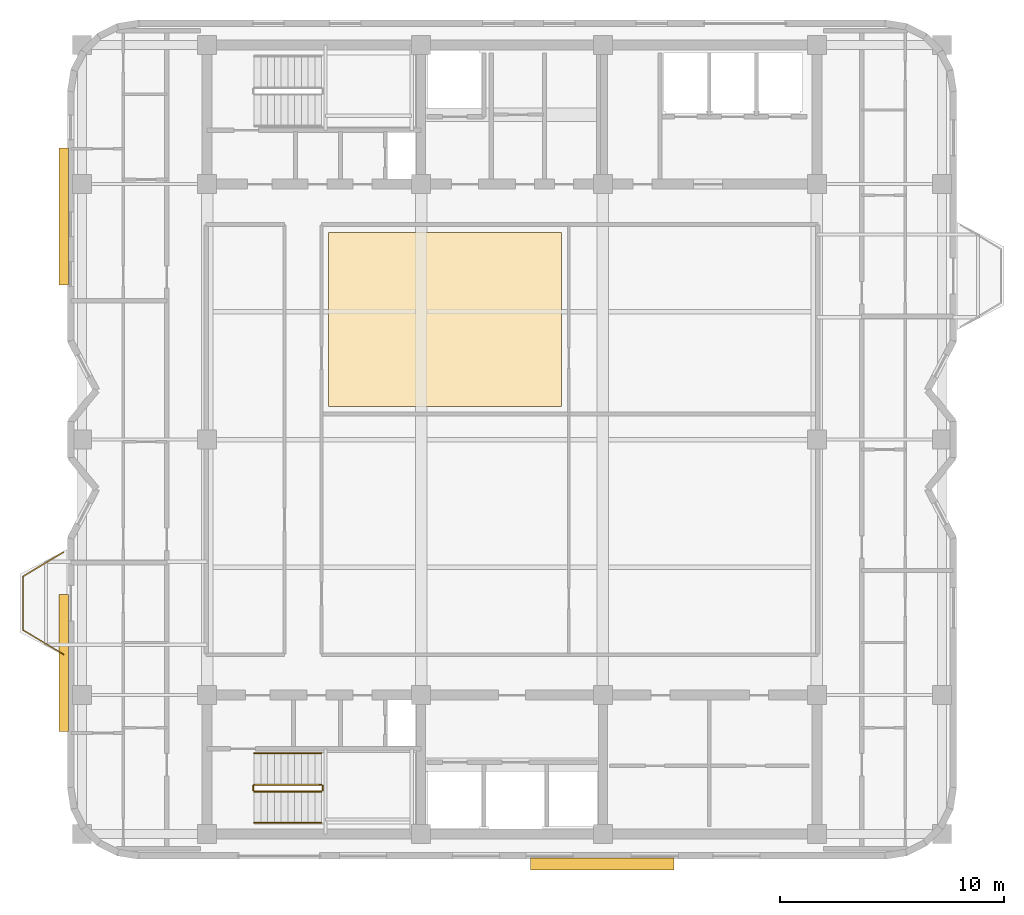
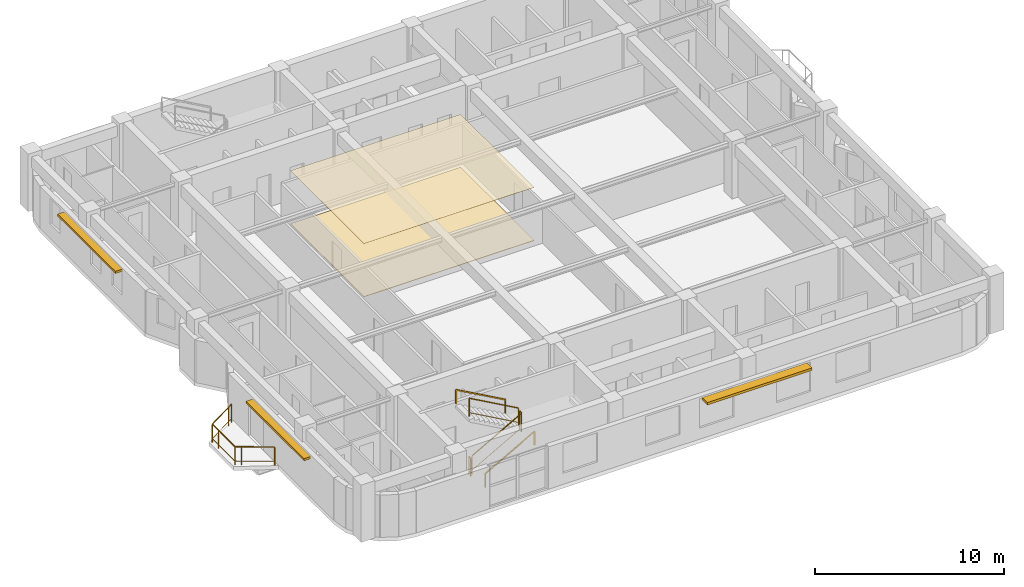
# One storey, part 11 of 12: 7 railings, 3 shading devices, 2 coverings.
"""IFC4 building model written with IfcOpenShell, lengths in metres."""

from ifc_helpers import new_model, si_unit, direction, frame, origin, origin_2d, place, context, subcontext, project, spatial, polyline, rectangle, outline, extrude, material, layer, layer_set, type_object, element, save


model = new_model("IFC4")

# Units and contexts
model_context = context("Model", 3, precision=1e-05, world=origin(), true_north=direction((0.0, 1.0)))
body_context = subcontext(model_context, "Body", "Model", "MODEL_VIEW")
ifc_project = project(units=[si_unit("LENGTHUNIT", "METRE"), si_unit("AREAUNIT", "SQUARE_METRE"), si_unit("VOLUMEUNIT", "CUBIC_METRE"), si_unit("PLANEANGLEUNIT", "RADIAN"), si_unit("MASSUNIT", "GRAM", prefix="KILO")], contexts=[model_context])

# Site, building, storey
site_placement = place(None, origin())
site = spatial("IfcSite", under=ifc_project, at=site_placement, CompositionType="ELEMENT")
building_placement = place(site_placement, origin())
building = spatial("IfcBuilding", under=site, at=building_placement, Name="Svetorya Sky Lyceum", CompositionType="ELEMENT")
storey_placement = place(building_placement, frame((0.0, 0.0, 236.89990234375)))
storey = spatial("IfcBuildingStorey", under=building, at=storey_placement, Name="L59", CompositionType="ELEMENT", Elevation=236.89990234375)

# Coverings
ifc_material_1 = material(Name="Perforated acoustic gypsum ceiling board")
ifc_layer_1 = layer(ifc_material_1, 0.01806640625)
ifc_layer_set_1 = layer_set([ifc_layer_1], Name="Perforated acoustic gypsum ceiling board")
covering_type_1 = type_object("IfcCoveringType", Name="COV-CLG-GYP", PredefinedType="CEILING", material=ifc_layer_set_1)
covering_1_placement = place(storey_placement, frame((0.0, 0.0, 3.43212890625)))
element("IfcCovering", 1, at=covering_1_placement, inside=storey, type_object=covering_type_1, Name="Wellness Hall L59 North Acoustic Ceiling", PredefinedType="CEILING", context=body_context, shape_type="SweptSolid", body=[
    extrude(outline(polyline([(31.02001953125, 29.678466796875), (41.405029296875, 29.678466796875), (41.405029296875, 37.449951171875), (31.02001953125, 37.449951171875), (31.02001953125, 29.678466796875)])), origin(), (0.0, 0.0, 1.0), 0.01806640625),
])
ifc_material_2 = material(Name="Honed Karelian granite terrazzo flooring", Category="masonry")
ifc_layer_2 = layer(ifc_material_2, 0.030029296875)
ifc_layer_set_2 = layer_set([ifc_layer_2], Name="Honed Karelian granite terrazzo flooring")
covering_type_2 = type_object("IfcCoveringType", Name="COV-FLR-TER", PredefinedType="FLOORING", material=ifc_layer_set_2)
covering_2_placement = place(storey_placement, origin())
element("IfcCovering", 2, at=covering_2_placement, inside=storey, type_object=covering_type_2, Name="Wellness Hall L59 North Architectural Flooring", PredefinedType="FLOORING", context=body_context, shape_type="SweptSolid", body=[
    extrude(outline(polyline([(31.02001953125, 29.678466796875), (41.405029296875, 29.678466796875), (41.405029296875, 37.449951171875), (31.02001953125, 37.449951171875), (31.02001953125, 29.678466796875)])), origin(), (0.0, 0.0, 1.0), 0.030029296875),
])

# Railings
ifc_material_3 = material(Name="Laminated safety glass and stainless AISI 316", Category="glass")
railing_type_1 = type_object("IfcRailingType", Name="RL-BAL-1200", PredefinedType="BALUSTRADE", material=ifc_material_3)
railing_1_placement = place(storey_placement, frame((19.18994140625, 18.6201171875, 0.0)))
element("IfcRailing", 3, at=railing_1_placement, inside=storey, type_object=railing_type_1, Name="L59 Balcony Balustrade BAL-W1", PredefinedType="BALUSTRADE", context=body_context, shape_type="SweptSolid", body=[
    extrude(rectangle(XDim=0.048095703125, YDim=0.048095703125, at=origin_2d()), frame((0.0, 0.0, 1.17578125), z_axis=(-0.85753397263, 0.514427337711, 0.0), x_axis=(-0.514427337711, -0.85753397263, 0.0)), (0.0, 0.0, 1.0), 2.09912109375),
    extrude(rectangle(XDim=0.02392578125, YDim=0.02392578125, at=origin_2d()), frame((0.0, 0.0, 0.25), z_axis=(-0.85753397263, 0.514427337711, 0.0), x_axis=(-0.514427337711, -0.85753397263, 0.0)), (0.0, 0.0, 1.0), 2.09912109375),
    extrude(rectangle(XDim=0.048095703125, YDim=0.048095703125, at=origin_2d()), frame((-1.800048828125, 1.079833984375, 1.17578125), z_axis=(0.0, 1.0, 0.0), x_axis=(-1.0, 0.0, 0.0)), (0.0, 0.0, 1.0), 2.400146484375),
    extrude(rectangle(XDim=0.02392578125, YDim=0.02392578125, at=origin_2d()), frame((-1.800048828125, 1.079833984375, 0.25), z_axis=(0.0, 1.0, 0.0), x_axis=(-1.0, 0.0, 0.0)), (0.0, 0.0, 1.0), 2.400146484375),
    extrude(rectangle(XDim=0.048095703125, YDim=0.048095703125, at=origin_2d()), frame((-1.800048828125, 3.47998046875, 1.17578125), z_axis=(0.85753397263, 0.514427337711, 0.0), x_axis=(-0.514427337711, 0.85753397263, 0.0)), (0.0, 0.0, 1.0), 2.09912109375),
    extrude(rectangle(XDim=0.02392578125, YDim=0.02392578125, at=origin_2d()), frame((-1.800048828125, 3.47998046875, 0.25), z_axis=(0.85753397263, 0.514427337711, 0.0), x_axis=(-0.514427337711, 0.85753397263, 0.0)), (0.0, 0.0, 1.0), 2.09912109375),
    extrude(rectangle(XDim=0.0419921875, YDim=0.0419921875, at=origin_2d()), origin(), (0.0, 0.0, 1.0), 1.15185546875),
    extrude(rectangle(XDim=0.0419921875, YDim=0.0419921875, at=origin_2d()), frame((-1.500732421875, 0.900146484375, 0.0)), (0.0, 0.0, 1.0), 1.15185546875),
    extrude(rectangle(XDim=0.0419921875, YDim=0.0419921875, at=origin_2d()), frame((-1.800048828125, 1.079833984375, 0.0)), (0.0, 0.0, 1.0), 1.15185546875),
    extrude(rectangle(XDim=0.0419921875, YDim=0.0419921875, at=origin_2d()), frame((-1.800048828125, 2.829833984375, 0.0)), (0.0, 0.0, 1.0), 1.15185546875),
    extrude(rectangle(XDim=0.0419921875, YDim=0.0419921875, at=origin_2d()), frame((-1.800048828125, 3.47998046875, 0.0)), (0.0, 0.0, 1.0), 1.15185546875),
    extrude(rectangle(XDim=0.0419921875, YDim=0.0419921875, at=origin_2d()), frame((-0.29931640625, 4.380126953125, 0.0)), (0.0, 0.0, 1.0), 1.15185546875),
    extrude(rectangle(XDim=0.0419921875, YDim=0.0419921875, at=origin_2d()), frame((0.0, 4.559814453125, 0.0)), (0.0, 0.0, 1.0), 1.15185546875),
])
ifc_material_4 = material(Name="Painted galvanized stair well guard")
railing_type_2 = type_object("IfcRailingType", Name="RL-STR-GUARD-1200", PredefinedType="GUARDRAIL", material=ifc_material_4)
railing_2_placement = place(storey_placement, frame((27.699951171875, 12.5, 0.168212890625)))
element("IfcRailing", 4, at=railing_2_placement, inside=storey, type_object=railing_type_2, Name="L59 ST-S stair guard 1", PredefinedType="GUARDRAIL", context=body_context, shape_type="SweptSolid", body=[
    extrude(rectangle(XDim=0.048095703125, YDim=0.048095703125, at=origin_2d()), frame((0.0, 0.0, 1.17578125), z_axis=(0.872272294576, 0.0, 0.489020494575), x_axis=(0.0, 1.0, 0.0)), (0.0, 0.0, 1.0), 3.439208984375),
    extrude(rectangle(XDim=0.02392578125, YDim=0.02392578125, at=origin_2d()), frame((0.0, 0.0, 0.25), z_axis=(0.872272294576, 0.0, 0.489020494575), x_axis=(0.0, 1.0, 0.0)), (0.0, 0.0, 1.0), 3.439208984375),
    extrude(rectangle(XDim=0.0419921875, YDim=0.0419921875, at=origin_2d()), origin(), (0.0, 0.0, 1.0), 1.15185546875),
    extrude(rectangle(XDim=0.0419921875, YDim=0.0419921875, at=origin_2d()), frame((3.0, 0.0, 1.681884765625)), (0.0, 0.0, 1.0), 1.15185546875),
])
railing_3_placement = place(storey_placement, frame((30.75, 12.550048828125, 1.85009765625)))
element("IfcRailing", 5, at=railing_3_placement, inside=storey, type_object=railing_type_2, Name="L59 ST-S stair guard 2", PredefinedType="GUARDRAIL", context=body_context, shape_type="SweptSolid", body=[
    extrude(rectangle(XDim=0.048095703125, YDim=0.048095703125, at=origin_2d()), frame((0.0, 0.0, 1.17578125), z_axis=(0.0, 1.0, 0.0), x_axis=(-1.0, 0.0, 0.0)), (0.0, 0.0, 1.0), 0.199951171875),
    extrude(rectangle(XDim=0.02392578125, YDim=0.02392578125, at=origin_2d()), frame((0.0, 0.0, 0.25), z_axis=(0.0, 1.0, 0.0), x_axis=(-1.0, 0.0, 0.0)), (0.0, 0.0, 1.0), 0.199951171875),
    extrude(rectangle(XDim=0.0419921875, YDim=0.0419921875, at=origin_2d()), origin(), (0.0, 0.0, 1.0), 1.15185546875),
    extrude(rectangle(XDim=0.0419921875, YDim=0.0419921875, at=origin_2d()), frame((0.0, 0.199951171875, 0.0)), (0.0, 0.0, 1.0), 1.15185546875),
])
railing_4_placement = place(storey_placement, frame((30.699951171875, 12.800048828125, 2.018310546875)))
element("IfcRailing", 6, at=railing_4_placement, inside=storey, type_object=railing_type_2, Name="L59 ST-S stair guard 3", PredefinedType="GUARDRAIL", context=body_context, shape_type="SweptSolid", body=[
    extrude(rectangle(XDim=0.048095703125, YDim=0.048095703125, at=origin_2d()), frame((0.0, 0.0, 1.17578125), z_axis=(-0.872272294576, 0.0, 0.489020494575), x_axis=(0.0, -1.0, 0.0)), (0.0, 0.0, 1.0), 3.439208984375),
    extrude(rectangle(XDim=0.02392578125, YDim=0.02392578125, at=origin_2d()), frame((0.0, 0.0, 0.25), z_axis=(-0.872272294576, 0.0, 0.489020494575), x_axis=(0.0, -1.0, 0.0)), (0.0, 0.0, 1.0), 3.439208984375),
    extrude(rectangle(XDim=0.0419921875, YDim=0.0419921875, at=origin_2d()), origin(), (0.0, 0.0, 1.0), 1.15185546875),
    extrude(rectangle(XDim=0.0419921875, YDim=0.0419921875, at=origin_2d()), frame((-3.0, 0.0, 1.681884765625)), (0.0, 0.0, 1.0), 1.15185546875),
])
railing_5_placement = place(storey_placement, frame((27.64990234375, 12.550048828125, 0.0)))
element("IfcRailing", 7, at=railing_5_placement, inside=storey, type_object=railing_type_2, Name="L59 ST-S stair guard 4", PredefinedType="GUARDRAIL", context=body_context, shape_type="SweptSolid", body=[
    extrude(rectangle(XDim=0.048095703125, YDim=0.048095703125, at=origin_2d()), frame((0.0, 0.0, 1.17578125), z_axis=(0.0, 1.0, 0.0), x_axis=(-1.0, 0.0, 0.0)), (0.0, 0.0, 1.0), 0.199951171875),
    extrude(rectangle(XDim=0.02392578125, YDim=0.02392578125, at=origin_2d()), frame((0.0, 0.0, 0.25), z_axis=(0.0, 1.0, 0.0), x_axis=(-1.0, 0.0, 0.0)), (0.0, 0.0, 1.0), 0.199951171875),
    extrude(rectangle(XDim=0.0419921875, YDim=0.0419921875, at=origin_2d()), origin(), (0.0, 0.0, 1.0), 1.15185546875),
    extrude(rectangle(XDim=0.0419921875, YDim=0.0419921875, at=origin_2d()), frame((0.0, 0.199951171875, 0.0)), (0.0, 0.0, 1.0), 1.15185546875),
])
ifc_material_5 = material(Name="Brushed stainless AISI 304 stair handrail")
railing_type_3 = type_object("IfcRailingType", Name="RL-STR-HAND-920", PredefinedType="HANDRAIL", material=ifc_material_5)
railing_6_placement = place(storey_placement, frame((27.699951171875, 11.10009765625, 0.168212890625)))
element("IfcRailing", 8, at=railing_6_placement, inside=storey, type_object=railing_type_3, Name="L59 ST-S stair handrail 1", PredefinedType="HANDRAIL", context=body_context, shape_type="SweptSolid", body=[
    extrude(rectangle(XDim=0.048095703125, YDim=0.048095703125, at=origin_2d()), frame((0.0, 0.0, 0.8759765625), z_axis=(0.872272294576, 0.0, 0.489020494575), x_axis=(0.0, 1.0, 0.0)), (0.0, 0.0, 1.0), 3.439208984375),
    extrude(rectangle(XDim=0.0419921875, YDim=0.0419921875, at=origin_2d()), origin(), (0.0, 0.0, 1.0), 0.851806640625),
    extrude(rectangle(XDim=0.0419921875, YDim=0.0419921875, at=origin_2d()), frame((3.0, 0.0, 1.681884765625)), (0.0, 0.0, 1.0), 0.851806640625),
])
railing_7_placement = place(storey_placement, frame((30.699951171875, 14.199951171875, 2.018310546875)))
element("IfcRailing", 9, at=railing_7_placement, inside=storey, type_object=railing_type_3, Name="L59 ST-S stair handrail 2", PredefinedType="HANDRAIL", context=body_context, shape_type="SweptSolid", body=[
    extrude(rectangle(XDim=0.048095703125, YDim=0.048095703125, at=origin_2d()), frame((0.0, 0.0, 0.8759765625), z_axis=(-0.872272294576, 0.0, 0.489020494575), x_axis=(0.0, -1.0, 0.0)), (0.0, 0.0, 1.0), 3.439208984375),
    extrude(rectangle(XDim=0.0419921875, YDim=0.0419921875, at=origin_2d()), origin(), (0.0, 0.0, 1.0), 0.851806640625),
    extrude(rectangle(XDim=0.0419921875, YDim=0.0419921875, at=origin_2d()), frame((-3.0, 0.0, 1.681884765625)), (0.0, 0.0, 1.0), 0.851806640625),
])

# Shading devices
ifc_material_6 = material(Name="Champagne-anodized extruded aluminium solar fin", Category="aluminium")
ifc_layer_3 = layer(ifc_material_6, 0.139892578125)
ifc_layer_set_3 = layer_set([ifc_layer_3], Name="Champagne-anodized extruded aluminium solar fin")
shading_device_type_1 = type_object("IfcShadingDeviceType", Name="SHD-FIN-420", PredefinedType="JALOUSIE", material=ifc_layer_set_3)
for number, where, z_axis, x_axis, name in (
    (10, (19.199951171875, 38.159912109375, 2.43994140625), (0.0, 0.0, 1.0), (1.0, 0.0, 0.0), "L59 Solar Brise-Soleil SHD-2.30M"),
    (11, (19.199951171875, 18.239990234375, 2.43994140625), (0.0, 0.0, 1.0), (1.0, 0.0, 0.0), "L59 Solar Brise-Soleil SHD-2.36M"),
):
    element("IfcShadingDevice", number, at=place(storey_placement, frame(where, z_axis=z_axis, x_axis=x_axis)), inside=storey, type_object=shading_device_type_1, Name=name, PredefinedType="JALOUSIE", context=body_context, shape_type="SweptSolid", body=[
        extrude(rectangle(XDim=0.419921875, YDim=6.115966796875, at=origin_2d()), origin(), (0.0, 0.0, 1.0), 0.139892578125),
    ])
ifc_material_7 = material(Name="Champagne-anodized extruded aluminium sunshade", Category="aluminium")
ifc_layer_4 = layer(ifc_material_7, 0.159912109375)
ifc_layer_set_4 = layer_set([ifc_layer_4], Name="Champagne-anodized extruded aluminium sunshade")
shading_device_type_2 = type_object("IfcShadingDeviceType", Name="SHD-LVR-540", PredefinedType="AWNING", material=ifc_layer_set_4)
shading_device_placement = place(storey_placement, frame((43.22509765625, 9.260009765625, 2.43017578125), z_axis=(0.0, 0.0, 1.0), x_axis=(1.0, 0.0, 0.0)))
element("IfcShadingDevice", 12, at=shading_device_placement, inside=storey, type_object=shading_device_type_2, Name="L59 Solar Brise-Soleil SHD-1.6B", PredefinedType="AWNING", context=body_context, shape_type="SweptSolid", body=[
    extrude(rectangle(XDim=6.39990234375, YDim=0.5400390625, at=origin_2d()), origin(), (0.0, 0.0, 1.0), 0.159912109375),
])

save(model, "model.ifc")
